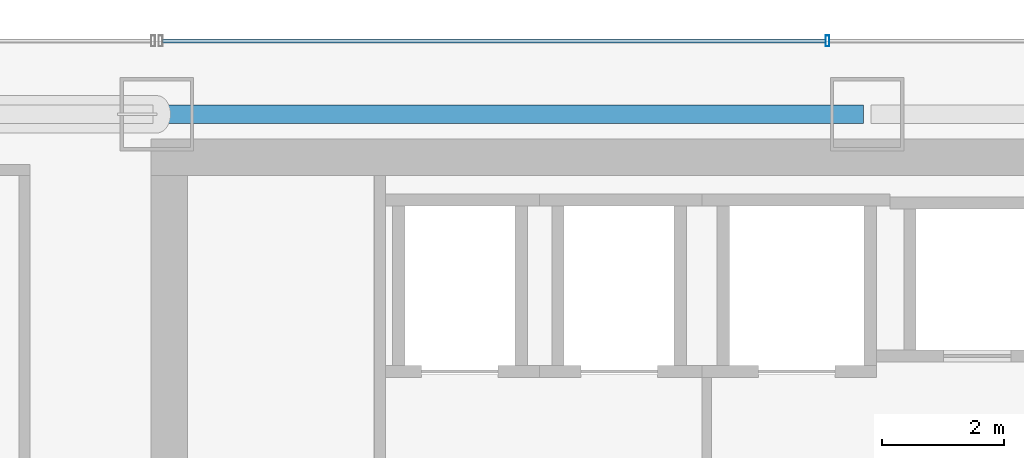
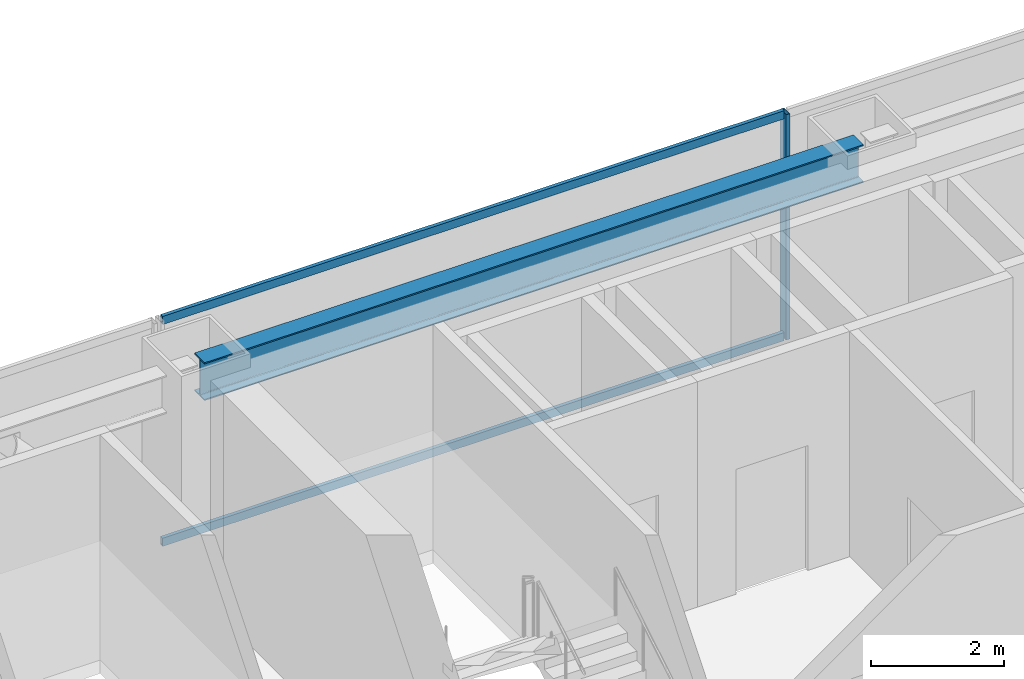
# One storey, part 27 of 47: 3 members, 1 beam, 1 element without a shape of its own.
"""IFC4 building model written with IfcOpenShell, lengths in metres."""

from ifc_helpers import new_model, si_unit, direction, frame, origin, origin_2d, place, context, subcontext, project, spatial, hollow_rectangle, i_section, extrude, material, material_profile, profile_set, type_object, element, aggregate, save


model = new_model("IFC4")

# Units and contexts
model_context = context("Model", 3, precision=1e-05, world=origin(), true_north=direction((0.0, 1.0)))
body_context = subcontext(model_context, "Body", "Model", "MODEL_VIEW")
ifc_project = project(units=[si_unit("LENGTHUNIT", "METRE"), si_unit("AREAUNIT", "SQUARE_METRE"), si_unit("VOLUMEUNIT", "CUBIC_METRE"), si_unit("PLANEANGLEUNIT", "RADIAN"), si_unit("MASSUNIT", "GRAM", prefix="KILO")], contexts=[model_context])

# Site, building, storey
site_placement = place(None, origin())
site = spatial("IfcSite", under=ifc_project, at=site_placement, CompositionType="ELEMENT")
building_placement = place(site_placement, origin())
building = spatial("IfcBuilding", under=site, at=building_placement, Name="Saevonmaru Cultural Tower", CompositionType="ELEMENT")
storey_placement = place(building_placement, frame((0.0, 0.0, 47.199951171875)))
storey = spatial("IfcBuildingStorey", under=building, at=storey_placement, Name="L09", CompositionType="ELEMENT", Elevation=47.199951171875)

# Beam
ifc_material_1 = material(Name="Steel SM355", Category="steel")
ifc_material_profile_1 = material_profile(ifc_material_1, i_section(OverallWidth=0.300048828125, OverallDepth=0.699951171875, WebThickness=0.012939453125, FlangeThickness=0.02392578125, FilletRadius=0.02587890625, at=origin_2d()), Name="H-700x300x13x24")
ifc_profile_set_1 = profile_set([ifc_material_profile_1], Name="Steel SM355")
beam_type = type_object("IfcBeamType", Name="BM-SP-H700", PredefinedType="SPANDREL", material=ifc_profile_set_1)
beam_placement = place(storey_placement, frame((13.659912109375, 54.800048828125, 3.800048828125), z_axis=(1.0, 0.0, 0.0), x_axis=(0.0, 1.0, 0.0)))
element("IfcBeam", 1, at=beam_placement, inside=storey, type_object=beam_type, Name="L09 North Spine Girder 2", PredefinedType="SPANDREL", context=body_context, shape_type="SweptSolid", body=[
    extrude(i_section(OverallWidth=0.300048828125, OverallDepth=0.699951171875, WebThickness=0.012939453125, FlangeThickness=0.02392578125, FilletRadius=0.02587890625, at=origin_2d()), origin(), (0.0, 0.0, 1.0), 11.47998046875),
])

# Curtain wall, members
ifc_material_2 = material(Name="Satin Bronze Anodised Aluminium", Category="aluminium")
curtain_wall_type = type_object("IfcCurtainWallType", Name="CW-TYP-A", PredefinedType="NOTDEFINED", material=ifc_material_2)
curtain_wall_placement = place(storey_placement, origin())
curtain_wall = element("IfcCurtainWall", 2, at=curtain_wall_placement, inside=storey, type_object=curtain_wall_type, Name="L09 North Spine Unitised Curtain Wall E10B", PredefinedType="NOTDEFINED")
ifc_material_profile_2 = material_profile(ifc_material_2, hollow_rectangle(XDim=0.06494140625, YDim=0.179931640625, WallThickness=0.00390625, at=origin_2d()), Name="ALU-MULL-180x65x4")
ifc_profile_set_2 = profile_set([ifc_material_profile_2], Name="Satin Bronze Anodised Aluminium")
member_type_1 = type_object("IfcMemberType", Name="ML-CW-180x65", PredefinedType="MULLION", material=ifc_profile_set_2)
member_1_placement = place(storey_placement, frame((24.55322265625, 56.0, 0.0), z_axis=(0.0, 0.0, 1.0), x_axis=(-1.0, 0.0, 0.0)))
member_1 = element("IfcMember", 3, at=member_1_placement, type_object=member_type_1, Name="CW-TW-L09-E10B mullion 3", PredefinedType="MULLION", context=body_context, shape_type="SweptSolid", body=[
    extrude(hollow_rectangle(XDim=0.06494140625, YDim=0.179931640625, WallThickness=0.00390625, at=origin_2d()), origin(), (0.0, 0.0, 1.0), 4.150146484375),
])
ifc_material_profile_3 = material_profile(ifc_material_2, hollow_rectangle(XDim=0.06494140625, YDim=0.14990234375, WallThickness=0.00390625, at=origin_2d()), Name="ALU-TRAN-150x65x4")
ifc_profile_set_3 = profile_set([ifc_material_profile_3], Name="Satin Bronze Anodised Aluminium")
member_type_2 = type_object("IfcMemberType", Name="TR-CW-150x65", PredefinedType="USERDEFINED", material=ifc_profile_set_3)
member_2_placement = place(storey_placement, frame((24.520751953125, 56.0, 0.032470703125), z_axis=(-1.0, 0.0, 0.0), x_axis=(0.0, -1.0, 0.0)))
member_2 = element("IfcMember", 4, at=member_2_placement, type_object=member_type_2, Name="CW-TW-L09-E10B transom 3.1", ObjectType="TRANSOM", PredefinedType="USERDEFINED", context=body_context, shape_type="SweptSolid", body=[
    extrude(hollow_rectangle(XDim=0.06494140625, YDim=0.14990234375, WallThickness=0.00390625, at=origin_2d()), origin(), (0.0, 0.0, 1.0), 10.828369140625),
])
member_3_placement = place(storey_placement, frame((24.520751953125, 56.0, 4.117431640625), z_axis=(-1.0, 0.0, 0.0), x_axis=(0.0, -1.0, 0.0)))
member_3 = element("IfcMember", 5, at=member_3_placement, type_object=member_type_2, Name="CW-TW-L09-E10B transom 3.2", ObjectType="TRANSOM", PredefinedType="USERDEFINED", context=body_context, shape_type="SweptSolid", body=[
    extrude(hollow_rectangle(XDim=0.06494140625, YDim=0.14990234375, WallThickness=0.00390625, at=origin_2d()), origin(), (0.0, 0.0, 1.0), 10.828369140625),
])
aggregate(curtain_wall, [member_1, member_2, member_3])

save(model, "model.ifc")
